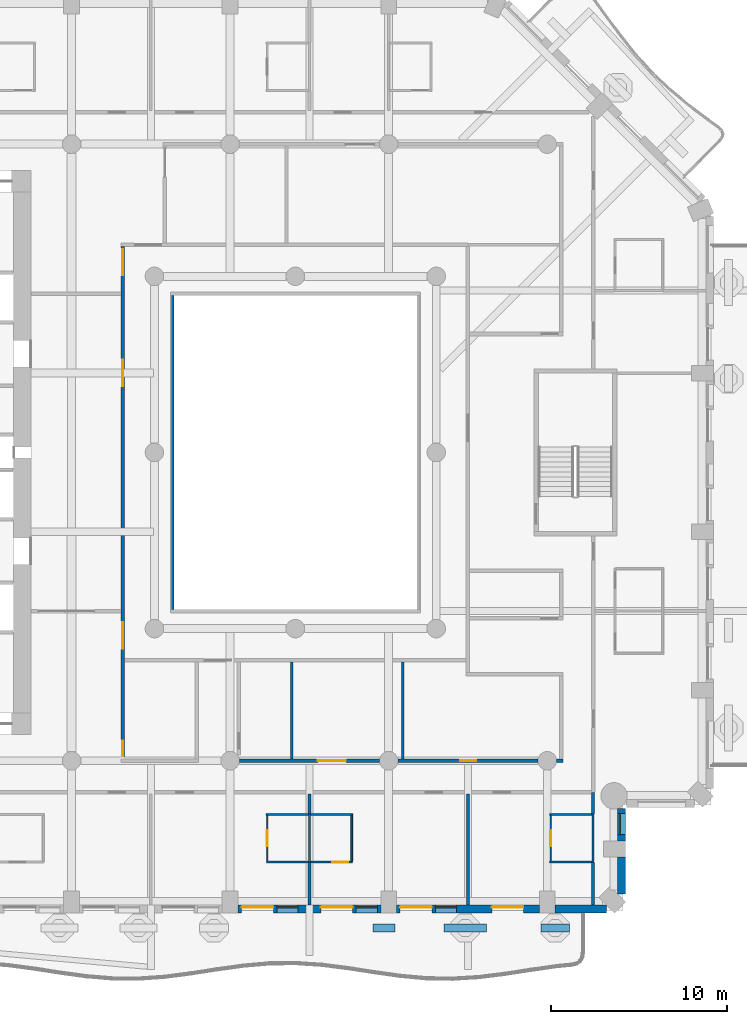
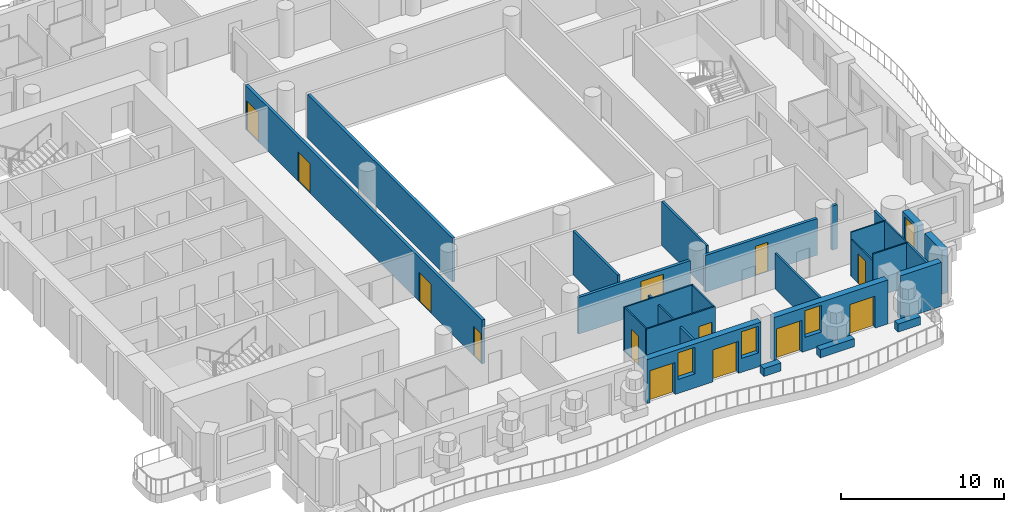
# One storey, part 5 of 20: 29 walls, 13 doors, 4 windows, 17 openings.
"""IFC4 building model written with IfcOpenShell, lengths in metres."""

from ifc_helpers import new_model, si_unit, direction, frame, frame_2d, origin, place, context, subcontext, project, spatial, rectangle, extrude, material, layer, layer_set, type_object, element, fill, save


model = new_model("IFC4")

# Units and contexts
model_context = context("Model", 3, precision=1e-05, world=origin(), true_north=direction((0.0, 1.0)))
body_context = subcontext(model_context, "Body", "Model", "MODEL_VIEW")
ifc_project = project(units=[si_unit("LENGTHUNIT", "METRE"), si_unit("AREAUNIT", "SQUARE_METRE"), si_unit("VOLUMEUNIT", "CUBIC_METRE"), si_unit("PLANEANGLEUNIT", "RADIAN"), si_unit("MASSUNIT", "GRAM", prefix="KILO")], contexts=[model_context])

# Site, building, storey
site_placement = place(None, origin())
site = spatial("IfcSite", under=ifc_project, at=site_placement, CompositionType="ELEMENT")
building_placement = place(site_placement, origin())
building = spatial("IfcBuilding", under=site, at=building_placement, Name="Cypress Arch Tower", CompositionType="ELEMENT")
storey_placement = place(building_placement, frame((0.0, 0.0, 123.89990234375)))
storey = spatial("IfcBuildingStorey", under=building, at=storey_placement, Name="L26", CompositionType="ELEMENT", Elevation=123.89990234375)

# Walls
ifc_material_1 = material(Name="Concrete C40/50, waterproofed", Category="concrete")
ifc_layer_1 = layer(ifc_material_1, 0.449951171875)
ifc_layer_set_1 = layer_set([ifc_layer_1], Name="Balcony planter wall PW450")
wall_type_1 = type_object("IfcWallType", Name="Balcony planter wall PW450", PredefinedType="SOLIDWALL", material=ifc_layer_set_1)
wall_1_placement = place(storey_placement, frame((5.419921875, -27.0, 0.0), z_axis=(0.0, 0.0, 1.0), x_axis=(1.0, 0.0, 0.0)))
element("IfcWall", 1, at=wall_1_placement, inside=storey, type_object=wall_type_1, Name="Balcony planter wall L26-A03.5", PredefinedType="SOLIDWALL", context=body_context, shape_type="SweptSolid", body=[
    extrude(rectangle(XDim=1.22998046875, YDim=0.449951171875, at=frame_2d((0.614990234375, 0.0))), origin(), (0.0, 0.0, 1.0), 0.60009765625),
])
wall_2_placement = place(storey_placement, frame((9.429931640625, -27.0, 0.0), z_axis=(0.0, 0.0, 1.0), x_axis=(1.0, 0.0, 0.0)))
element("IfcWall", 2, at=wall_2_placement, inside=storey, type_object=wall_type_1, Name="Balcony planter wall L26-A03.6", PredefinedType="SOLIDWALL", context=body_context, shape_type="SweptSolid", body=[
    extrude(rectangle(XDim=2.420166015625, YDim=0.449951171875, at=frame_2d((1.2099609375, 0.0))), origin(), (0.0, 0.0, 1.0), 0.60009765625),
])
wall_3_placement = place(storey_placement, frame((14.949951171875, -27.0, 0.0), z_axis=(0.0, 0.0, 1.0), x_axis=(1.0, 0.0, 0.0)))
element("IfcWall", 3, at=wall_3_placement, inside=storey, type_object=wall_type_1, Name="Balcony planter wall L26-A03.7", PredefinedType="SOLIDWALL", context=body_context, shape_type="SweptSolid", body=[
    extrude(rectangle(XDim=1.60009765625, YDim=0.449951171875, at=frame_2d((0.800048828125, 0.0))), origin(), (0.0, 0.0, 1.0), 0.60009765625),
])

# Wall, openings, doors, windows
ifc_material_2 = material(Name="Brick (red buff blend)", Category="masonry")
ifc_layer_2 = layer(ifc_material_2, 0.449951171875)
ifc_layer_set_2 = layer_set([ifc_layer_2], Name="Brick pier and spandrel wall BW450")
wall_type_2 = type_object("IfcWallType", Name="Brick pier and spandrel wall BW450", PredefinedType="SOLIDWALL", material=ifc_layer_set_2)
wall_4_placement = place(storey_placement, frame((-2.25, -25.925048828125, 0.0), z_axis=(0.0, 0.0, 1.0), x_axis=(1.0, 0.0, 0.0)))
wall_4 = element("IfcWall", 4, at=wall_4_placement, inside=storey, type_object=wall_type_2, Name="Brick wall L26 A03.3", PredefinedType="SOLIDWALL", context=body_context, shape_type="SweptSolid", body=[
    extrude(rectangle(XDim=8.10009765625, YDim=0.449951171875, at=frame_2d((4.050048828125, 0.0))), origin(), (0.0, 0.0, 1.0), 3.300048828125),
])
opening_1_placement = place(wall_4_placement, frame((0.199951171875, 0.0, 0.0)))
opening_1 = element("IfcOpeningElement", 5, at=opening_1_placement, cuts=wall_4, Name="Opening D-L26-A03.3.1", PredefinedType="OPENING", context=body_context, shape_type="SweptSolid", body=[
    extrude(rectangle(XDim=1.800048828125, YDim=2.39990234375, at=frame_2d((0.89990234375, 1.199951171875))), frame((0.0, 0.23486328125, 0.0), z_axis=(0.0, -1.0, 0.0), x_axis=(1.0, 0.0, 0.0)), (0.0, 0.0, 1.0), 0.469970703125),
])
opening_2_placement = place(wall_4_placement, frame((2.199951171875, 0.0, 1.050048828125)))
opening_2 = element("IfcOpeningElement", 6, at=opening_2_placement, cuts=wall_4, Name="Opening W120HD", PredefinedType="OPENING", context=body_context, shape_type="SweptSolid", body=[
    extrude(rectangle(XDim=1.199951171875, YDim=2.0, at=frame_2d((0.60009765625, 1.0))), frame((0.0, 0.23486328125, 0.0), z_axis=(0.0, -1.0, 0.0), x_axis=(1.0, 0.0, 0.0)), (0.0, 0.0, 1.0), 0.469970703125),
])
opening_3_placement = place(wall_4_placement, frame((4.699951171875, 0.0, 0.0)))
opening_3 = element("IfcOpeningElement", 7, at=opening_3_placement, cuts=wall_4, Name="Opening D-L26-A03.3.2", PredefinedType="OPENING", context=body_context, shape_type="SweptSolid", body=[
    extrude(rectangle(XDim=1.800048828125, YDim=2.39990234375, at=frame_2d((0.89990234375, 1.199951171875))), frame((0.0, 0.23486328125, 0.0), z_axis=(0.0, -1.0, 0.0), x_axis=(1.0, 0.0, 0.0)), (0.0, 0.0, 1.0), 0.469970703125),
])
opening_4_placement = place(wall_4_placement, frame((6.699951171875, 0.0, 1.050048828125)))
opening_4 = element("IfcOpeningElement", 8, at=opening_4_placement, cuts=wall_4, Name="Opening W120HD", PredefinedType="OPENING", context=body_context, shape_type="SweptSolid", body=[
    extrude(rectangle(XDim=1.199951171875, YDim=2.0, at=frame_2d((0.60009765625, 1.0))), frame((0.0, 0.23486328125, 0.0), z_axis=(0.0, -1.0, 0.0), x_axis=(1.0, 0.0, 0.0)), (0.0, 0.0, 1.0), 0.469970703125),
])
ifc_material_3 = material(Name="Anodised aluminium, bronze finish, laminated low-emissivity double glazing, large-missile impact rated", Category="aluminium")
door_type_1 = type_object("IfcDoorType", Name="Balcony sliding door 1800x2400", OperationType="SLIDING_TO_LEFT", PredefinedType="DOOR", material=ifc_material_3)
door_1_placement = place(opening_1_placement, origin())
door_1 = element("IfcDoor", 9, at=door_1_placement, inside=storey, type_object=door_type_1, Name="Balcony door L26 A03.3.1", OperationType="SLIDING_TO_LEFT", OverallHeight=2.39990234375, OverallWidth=1.800048828125, PredefinedType="DOOR", context=body_context, shape_type="SweptSolid", body=[
    extrude(rectangle(XDim=1.800048828125, YDim=2.39990234375, at=frame_2d((0.89990234375, 1.199951171875))), frame((0.0, 0.1298828125, 0.0), z_axis=(0.0, -1.0, 0.0), x_axis=(1.0, 0.0, 0.0)), (0.0, 0.0, 1.0), 0.050048828125),
])
fill(opening_1, door_1)
door_2_placement = place(opening_3_placement, origin())
door_2 = element("IfcDoor", 10, at=door_2_placement, inside=storey, type_object=door_type_1, Name="Balcony door L26 A03.3.2", OperationType="SLIDING_TO_LEFT", OverallHeight=2.39990234375, OverallWidth=1.800048828125, PredefinedType="DOOR", context=body_context, shape_type="SweptSolid", body=[
    extrude(rectangle(XDim=1.800048828125, YDim=2.39990234375, at=frame_2d((0.89990234375, 1.199951171875))), frame((0.0, 0.1298828125, 0.0), z_axis=(0.0, -1.0, 0.0), x_axis=(1.0, 0.0, 0.0)), (0.0, 0.0, 1.0), 0.050048828125),
])
fill(opening_3, door_2)
ifc_material_4 = material(Name="Anodised aluminium, bronze finish, laminated low-emissivity double glazing, large-missile impact rated", Category="aluminium")
window_type_1 = type_object("IfcWindowType", Name="Window Hotel 1200x2000 debris-rated", PartitioningType="SINGLE_PANEL", PredefinedType="WINDOW", material=ifc_material_4)
window_1_placement = place(opening_2_placement, origin())
window_1 = element("IfcWindow", 11, at=window_1_placement, inside=storey, type_object=window_type_1, Name="Window L26 A03.3.1", OverallHeight=2.0, OverallWidth=1.199951171875, PartitioningType="SINGLE_PANEL", PredefinedType="WINDOW", context=body_context, shape_type="SweptSolid", body=[
    extrude(rectangle(XDim=1.199951171875, YDim=2.0, at=frame_2d((0.60009765625, 1.0))), frame((0.0, 0.135009765625, 0.0), z_axis=(0.0, -1.0, 0.0), x_axis=(1.0, 0.0, 0.0)), (0.0, 0.0, 1.0), 0.06005859375),
])
fill(opening_2, window_1)
window_2_placement = place(opening_4_placement, origin())
window_2 = element("IfcWindow", 12, at=window_2_placement, inside=storey, type_object=window_type_1, Name="Window L26 A03.3.2", OverallHeight=2.0, OverallWidth=1.199951171875, PartitioningType="SINGLE_PANEL", PredefinedType="WINDOW", context=body_context, shape_type="SweptSolid", body=[
    extrude(rectangle(XDim=1.199951171875, YDim=2.0, at=frame_2d((0.60009765625, 1.0))), frame((0.0, 0.135009765625, 0.0), z_axis=(0.0, -1.0, 0.0), x_axis=(1.0, 0.0, 0.0)), (0.0, 0.0, 1.0), 0.06005859375),
])
fill(opening_4, window_2)

# Wall, openings, doors, window
wall_5_placement = place(storey_placement, frame((6.75, -25.925048828125, 0.0), z_axis=(0.0, 0.0, 1.0), x_axis=(1.0, 0.0, 0.0)))
wall_5 = element("IfcWall", 13, at=wall_5_placement, inside=storey, type_object=wall_type_2, Name="Brick wall L26 A03.4", PredefinedType="SOLIDWALL", context=body_context, shape_type="SweptSolid", body=[
    extrude(rectangle(XDim=8.10009765625, YDim=0.449951171875, at=frame_2d((4.050048828125, 0.0))), origin(), (0.0, 0.0, 1.0), 3.300048828125),
])
opening_5_placement = place(wall_5_placement, frame((0.199951171875, 0.0, 0.0)))
opening_5 = element("IfcOpeningElement", 14, at=opening_5_placement, cuts=wall_5, Name="Opening D-L26-A03.4.1", PredefinedType="OPENING", context=body_context, shape_type="SweptSolid", body=[
    extrude(rectangle(XDim=1.800048828125, YDim=2.39990234375, at=frame_2d((0.89990234375, 1.199951171875))), frame((0.0, 0.23486328125, 0.0), z_axis=(0.0, -1.0, 0.0), x_axis=(1.0, 0.0, 0.0)), (0.0, 0.0, 1.0), 0.469970703125),
])
opening_6_placement = place(wall_5_placement, frame((2.199951171875, 0.0, 1.050048828125)))
opening_6 = element("IfcOpeningElement", 15, at=opening_6_placement, cuts=wall_5, Name="Opening W120HD", PredefinedType="OPENING", context=body_context, shape_type="SweptSolid", body=[
    extrude(rectangle(XDim=1.199951171875, YDim=2.0, at=frame_2d((0.60009765625, 1.0))), frame((0.0, 0.23486328125, 0.0), z_axis=(0.0, -1.0, 0.0), x_axis=(1.0, 0.0, 0.0)), (0.0, 0.0, 1.0), 0.469970703125),
])
opening_7_placement = place(wall_5_placement, frame((5.39990234375, 0.0, 0.0)))
opening_7 = element("IfcOpeningElement", 16, at=opening_7_placement, cuts=wall_5, Name="Opening D-L26-A03.4.2", PredefinedType="OPENING", context=body_context, shape_type="SweptSolid", body=[
    extrude(rectangle(XDim=1.800048828125, YDim=2.39990234375, at=frame_2d((0.89990234375, 1.199951171875))), frame((0.0, 0.23486328125, 0.0), z_axis=(0.0, -1.0, 0.0), x_axis=(1.0, 0.0, 0.0)), (0.0, 0.0, 1.0), 0.469970703125),
])
door_3_placement = place(opening_5_placement, origin())
door_3 = element("IfcDoor", 17, at=door_3_placement, inside=storey, type_object=door_type_1, Name="Balcony door L26 A03.4.1", OperationType="SLIDING_TO_LEFT", OverallHeight=2.39990234375, OverallWidth=1.800048828125, PredefinedType="DOOR", context=body_context, shape_type="SweptSolid", body=[
    extrude(rectangle(XDim=1.800048828125, YDim=2.39990234375, at=frame_2d((0.89990234375, 1.199951171875))), frame((0.0, 0.1298828125, 0.0), z_axis=(0.0, -1.0, 0.0), x_axis=(1.0, 0.0, 0.0)), (0.0, 0.0, 1.0), 0.050048828125),
])
fill(opening_5, door_3)
door_4_placement = place(opening_7_placement, origin())
door_4 = element("IfcDoor", 18, at=door_4_placement, inside=storey, type_object=door_type_1, Name="Balcony door L26 A03.4.2", OperationType="SLIDING_TO_LEFT", OverallHeight=2.39990234375, OverallWidth=1.800048828125, PredefinedType="DOOR", context=body_context, shape_type="SweptSolid", body=[
    extrude(rectangle(XDim=1.800048828125, YDim=2.39990234375, at=frame_2d((0.89990234375, 1.199951171875))), frame((0.0, 0.1298828125, 0.0), z_axis=(0.0, -1.0, 0.0), x_axis=(1.0, 0.0, 0.0)), (0.0, 0.0, 1.0), 0.050048828125),
])
fill(opening_7, door_4)
window_3_placement = place(opening_6_placement, origin())
window_3 = element("IfcWindow", 19, at=window_3_placement, inside=storey, type_object=window_type_1, Name="Window L26 A03.4.1", OverallHeight=2.0, OverallWidth=1.199951171875, PartitioningType="SINGLE_PANEL", PredefinedType="WINDOW", context=body_context, shape_type="SweptSolid", body=[
    extrude(rectangle(XDim=1.199951171875, YDim=2.0, at=frame_2d((0.60009765625, 1.0))), frame((0.0, 0.135009765625, 0.0), z_axis=(0.0, -1.0, 0.0), x_axis=(1.0, 0.0, 0.0)), (0.0, 0.0, 1.0), 0.06005859375),
])
fill(opening_6, window_3)

# Walls
wall_6_placement = place(storey_placement, frame((15.75, -25.925048828125, 0.0), z_axis=(0.0, 0.0, 1.0), x_axis=(1.0, 0.0, 0.0)))
element("IfcWall", 20, at=wall_6_placement, inside=storey, type_object=wall_type_2, Name="Brick wall L26 A03.5", PredefinedType="SOLIDWALL", context=body_context, shape_type="SweptSolid", body=[
    extrude(rectangle(XDim=2.91357421875, YDim=0.449951171875, at=frame_2d((1.456787109375, 0.0))), origin(), (0.0, 0.0, 1.0), 3.300048828125),
])
wall_7_placement = place(storey_placement, frame((19.52490234375, -25.063720703125, 0.0), z_axis=(0.0, 0.0, 1.0), x_axis=(0.0, 1.0, 0.0)))
element("IfcWall", 21, at=wall_7_placement, inside=storey, type_object=wall_type_2, Name="Brick wall L26 A04.0", PredefinedType="SOLIDWALL", context=body_context, shape_type="SweptSolid", body=[
    extrude(rectangle(XDim=2.11376953125, YDim=0.449951171875, at=frame_2d((1.056884765625, 0.0))), origin(), (0.0, 0.0, 1.0), 3.300048828125),
])

# Wall, opening, window
wall_8_placement = place(storey_placement, frame((19.52490234375, -22.050048828125, 0.0), z_axis=(0.0, 0.0, 1.0), x_axis=(0.0, 1.0, 0.0)))
wall_8 = element("IfcWall", 22, at=wall_8_placement, inside=storey, type_object=wall_type_2, Name="Brick wall L26 A04.1", PredefinedType="SOLIDWALL", context=body_context, shape_type="SweptSolid", body=[
    extrude(rectangle(XDim=1.843017578125, YDim=0.449951171875, at=frame_2d((0.92138671875, 0.0))), origin(), (0.0, 0.0, 1.0), 3.300048828125),
])
opening_8_placement = place(wall_8_placement, frame((0.35009765625, 0.0, 1.050048828125)))
opening_8 = element("IfcOpeningElement", 23, at=opening_8_placement, cuts=wall_8, Name="Opening W120H", PredefinedType="OPENING", context=body_context, shape_type="SweptSolid", body=[
    extrude(rectangle(XDim=1.199951171875, YDim=2.0, at=frame_2d((0.60009765625, 1.0))), frame((0.0, 0.23486328125, 0.0), z_axis=(0.0, -1.0, 0.0), x_axis=(1.0, 0.0, 0.0)), (0.0, 0.0, 1.0), 0.469970703125),
])
ifc_material_5 = material(Name="Anodised aluminium, bronze finish, clear low-emissivity double glazing", Category="aluminium")
window_type_2 = type_object("IfcWindowType", Name="Window Hotel 1200x2000", PartitioningType="SINGLE_PANEL", PredefinedType="WINDOW", material=ifc_material_5)
window_4_placement = place(opening_8_placement, origin())
window_4 = element("IfcWindow", 24, at=window_4_placement, inside=storey, type_object=window_type_2, Name="Window L26 A04.1.1", OverallHeight=2.0, OverallWidth=1.199951171875, PartitioningType="SINGLE_PANEL", PredefinedType="WINDOW", context=body_context, shape_type="SweptSolid", body=[
    extrude(rectangle(XDim=1.199951171875, YDim=2.0, at=frame_2d((0.60009765625, 1.0))), frame((0.0, 0.135009765625, 0.0), z_axis=(0.0, -1.0, 0.0), x_axis=(1.0, 0.0, 0.0)), (0.0, 0.0, 1.0), 0.06005859375),
])
fill(opening_8, window_4)

# Wall, openings, doors
ifc_material_6 = material(Name="Concrete blockwork, plastered, rated", Category="masonry")
ifc_layer_3 = layer(ifc_material_6, 0.199951171875)
ifc_layer_set_3 = layer_set([ifc_layer_3], Name="Corridor wall FW200")
wall_type_3 = type_object("IfcWallType", Name="Corridor wall FW200", PredefinedType="PARTITIONING", material=ifc_layer_set_3)
wall_9_placement = place(storey_placement, frame((-8.800048828125, -17.39990234375, 0.0), z_axis=(0.0, 0.0, 1.0), x_axis=(0.0, 1.0, 0.0)))
wall_9 = element("IfcWall", 25, at=wall_9_placement, inside=storey, type_object=wall_type_3, Name="Corridor wall", PredefinedType="PARTITIONING", context=body_context, shape_type="SweptSolid", body=[
    extrude(rectangle(XDim=29.099853515625, YDim=0.199951171875, at=frame_2d((14.5498046875, 0.0))), origin(), (0.0, 0.0, 1.0), 3.300048828125),
])
opening_9_placement = place(wall_9_placement, frame((21.14990234375, 0.0, 0.0)))
opening_9 = element("IfcOpeningElement", 26, at=opening_9_placement, cuts=wall_9, Name="Opening D04", PredefinedType="OPENING", context=body_context, shape_type="SweptSolid", body=[
    extrude(rectangle(XDim=1.5, YDim=2.199951171875, at=frame_2d((0.75, 1.10009765625))), frame((0.0, 0.10986328125, 0.0), z_axis=(0.0, -1.0, 0.0), x_axis=(1.0, 0.0, 0.0)), (0.0, 0.0, 1.0), 0.219970703125),
])
opening_10_placement = place(wall_9_placement, frame((6.25, 0.0, 0.0)))
opening_10 = element("IfcOpeningElement", 27, at=opening_10_placement, cuts=wall_9, Name="Opening D04", PredefinedType="OPENING", context=body_context, shape_type="SweptSolid", body=[
    extrude(rectangle(XDim=1.5, YDim=2.199951171875, at=frame_2d((0.75, 1.10009765625))), frame((0.0, 0.10986328125, 0.0), z_axis=(0.0, -1.0, 0.0), x_axis=(1.0, 0.0, 0.0)), (0.0, 0.0, 1.0), 0.219970703125),
])
opening_11_placement = place(wall_9_placement, frame((27.449951171875, 0.0, 0.0)))
opening_11 = element("IfcOpeningElement", 28, at=opening_11_placement, cuts=wall_9, Name="Opening D04", PredefinedType="OPENING", context=body_context, shape_type="SweptSolid", body=[
    extrude(rectangle(XDim=1.5, YDim=2.199951171875, at=frame_2d((0.75, 1.10009765625))), frame((0.0, 0.10986328125, 0.0), z_axis=(0.0, -1.0, 0.0), x_axis=(1.0, 0.0, 0.0)), (0.0, 0.0, 1.0), 0.219970703125),
])
opening_12_placement = place(wall_9_placement, frame((0.14990234375, 0.0, 0.0)))
opening_12 = element("IfcOpeningElement", 29, at=opening_12_placement, cuts=wall_9, Name="Opening D05", PredefinedType="OPENING", context=body_context, shape_type="SweptSolid", body=[
    extrude(rectangle(XDim=0.89990234375, YDim=2.199951171875, at=frame_2d((0.449951171875, 1.10009765625))), frame((0.0, 0.10986328125, 0.0), z_axis=(0.0, -1.0, 0.0), x_axis=(1.0, 0.0, 0.0)), (0.0, 0.0, 1.0), 0.219970703125),
])
ifc_material_7 = material(Name="Timber double door", Category="wood")
door_type_2 = type_object("IfcDoorType", Name="Double door D04 1500x2200", OperationType="DOUBLE_DOOR_SINGLE_SWING", PredefinedType="DOOR", material=ifc_material_7)
door_5_placement = place(opening_9_placement, origin())
door_5 = element("IfcDoor", 30, at=door_5_placement, inside=storey, type_object=door_type_2, Name="Double door", OperationType="DOUBLE_DOOR_SINGLE_SWING", OverallHeight=2.199951171875, OverallWidth=1.5, PredefinedType="DOOR", context=body_context, shape_type="SweptSolid", body=[
    extrude(rectangle(XDim=1.5, YDim=2.199951171875, at=frame_2d((0.75, 1.10009765625))), frame((0.0, 0.02490234375, 0.0), z_axis=(0.0, -1.0, 0.0), x_axis=(1.0, 0.0, 0.0)), (0.0, 0.0, 1.0), 0.050048828125),
])
fill(opening_9, door_5)
door_6_placement = place(opening_10_placement, origin())
door_6 = element("IfcDoor", 31, at=door_6_placement, inside=storey, type_object=door_type_2, Name="Double door", OperationType="DOUBLE_DOOR_SINGLE_SWING", OverallHeight=2.199951171875, OverallWidth=1.5, PredefinedType="DOOR", context=body_context, shape_type="SweptSolid", body=[
    extrude(rectangle(XDim=1.5, YDim=2.199951171875, at=frame_2d((0.75, 1.10009765625))), frame((0.0, 0.02490234375, 0.0), z_axis=(0.0, -1.0, 0.0), x_axis=(1.0, 0.0, 0.0)), (0.0, 0.0, 1.0), 0.050048828125),
])
fill(opening_10, door_6)
door_7_placement = place(opening_11_placement, origin())
door_7 = element("IfcDoor", 32, at=door_7_placement, inside=storey, type_object=door_type_2, Name="Double door", OperationType="DOUBLE_DOOR_SINGLE_SWING", OverallHeight=2.199951171875, OverallWidth=1.5, PredefinedType="DOOR", context=body_context, shape_type="SweptSolid", body=[
    extrude(rectangle(XDim=1.5, YDim=2.199951171875, at=frame_2d((0.75, 1.10009765625))), frame((0.0, 0.02490234375, 0.0), z_axis=(0.0, -1.0, 0.0), x_axis=(1.0, 0.0, 0.0)), (0.0, 0.0, 1.0), 0.050048828125),
])
fill(opening_11, door_7)
ifc_material_8 = material(Name="Timber flush door", Category="wood")
door_type_3 = type_object("IfcDoorType", Name="Service door D05 900x2200", OperationType="SINGLE_SWING_LEFT", PredefinedType="DOOR", material=ifc_material_8)
door_8_placement = place(opening_12_placement, origin())
door_8 = element("IfcDoor", 33, at=door_8_placement, inside=storey, type_object=door_type_3, Name="Service door", OperationType="SINGLE_SWING_RIGHT", OverallHeight=2.199951171875, OverallWidth=0.89990234375, PredefinedType="DOOR", context=body_context, shape_type="SweptSolid", body=[
    extrude(rectangle(XDim=0.89990234375, YDim=2.199951171875, at=frame_2d((0.449951171875, 1.10009765625))), frame((0.0, 0.02490234375, 0.0), z_axis=(0.0, -1.0, 0.0), x_axis=(1.0, 0.0, 0.0)), (0.0, 0.0, 1.0), 0.050048828125),
])
fill(opening_12, door_8)

# Wall
wall_10_placement = place(storey_placement, frame((-6.0, -8.89990234375, 0.0), z_axis=(0.0, 0.0, 1.0), x_axis=(0.0, 1.0, 0.0)))
element("IfcWall", 34, at=wall_10_placement, inside=storey, type_object=wall_type_3, Name="Corridor wall", PredefinedType="PARTITIONING", context=body_context, shape_type="SweptSolid", body=[
    extrude(rectangle(XDim=17.7998046875, YDim=0.199951171875, at=frame_2d((8.89990234375, 0.0))), origin(), (0.0, 0.0, 1.0), 3.300048828125),
])

# Wall, opening, door
wall_11_placement = place(storey_placement, frame((-2.175048828125, -17.5, 0.0), z_axis=(0.0, 0.0, 1.0), x_axis=(1.0, 0.0, 0.0)))
wall_11 = element("IfcWall", 35, at=wall_11_placement, inside=storey, type_object=wall_type_3, Name="Corridor wall", PredefinedType="PARTITIONING", context=body_context, shape_type="SweptSolid", body=[
    extrude(rectangle(XDim=7.949951171875, YDim=0.199951171875, at=frame_2d((3.97509765625, 0.0))), origin(), (0.0, 0.0, 1.0), 2.75),
])
opening_13_placement = place(wall_11_placement, frame((4.449951171875, 0.0, 0.0)))
opening_13 = element("IfcOpeningElement", 36, at=opening_13_placement, cuts=wall_11, Name="Opening D10", PredefinedType="OPENING", context=body_context, shape_type="SweptSolid", body=[
    extrude(rectangle(XDim=1.60009765625, YDim=2.39990234375, at=frame_2d((0.800048828125, 1.199951171875))), frame((0.0, 0.10986328125, 0.0), z_axis=(0.0, -1.0, 0.0), x_axis=(1.0, 0.0, 0.0)), (0.0, 0.0, 1.0), 0.219970703125),
])
ifc_material_9 = material(Name="Black aluminium glazed door", Category="aluminium")
door_type_4 = type_object("IfcDoorType", Name="Amenity door D10 1600x2400", OperationType="DOUBLE_DOOR_SINGLE_SWING", PredefinedType="DOOR", material=ifc_material_9)
door_9_placement = place(opening_13_placement, origin())
door_9 = element("IfcDoor", 37, at=door_9_placement, inside=storey, type_object=door_type_4, Name="Amenity door", OperationType="DOUBLE_DOOR_SINGLE_SWING", OverallHeight=2.39990234375, OverallWidth=1.60009765625, PredefinedType="DOOR", context=body_context, shape_type="SweptSolid", body=[
    extrude(rectangle(XDim=1.60009765625, YDim=2.39990234375, at=frame_2d((0.800048828125, 1.199951171875))), frame((0.0, 0.02490234375, 0.0), z_axis=(0.0, -1.0, 0.0), x_axis=(1.0, 0.0, 0.0)), (0.0, 0.0, 1.0), 0.050048828125),
])
fill(opening_13, door_9)

wall_12_placement = place(storey_placement, frame((6.824951171875, -17.5, 0.0), z_axis=(0.0, 0.0, 1.0), x_axis=(1.0, 0.0, 0.0)))
wall_12 = element("IfcWall", 38, at=wall_12_placement, inside=storey, type_object=wall_type_3, Name="Corridor wall", PredefinedType="PARTITIONING", context=body_context, shape_type="SweptSolid", body=[
    extrude(rectangle(XDim=7.949951171875, YDim=0.199951171875, at=frame_2d((3.97509765625, 0.0))), origin(), (0.0, 0.0, 1.0), 2.75),
])
opening_14_placement = place(wall_12_placement, frame((3.550048828125, 0.0, 0.0)))
opening_14 = element("IfcOpeningElement", 39, at=opening_14_placement, cuts=wall_12, Name="Opening D05", PredefinedType="OPENING", context=body_context, shape_type="SweptSolid", body=[
    extrude(rectangle(XDim=0.89990234375, YDim=2.199951171875, at=frame_2d((0.449951171875, 1.10009765625))), frame((0.0, 0.10986328125, 0.0), z_axis=(0.0, -1.0, 0.0), x_axis=(1.0, 0.0, 0.0)), (0.0, 0.0, 1.0), 0.219970703125),
])
door_10_placement = place(opening_14_placement, origin())
door_10 = element("IfcDoor", 40, at=door_10_placement, inside=storey, type_object=door_type_3, Name="Service door", OperationType="SINGLE_SWING_RIGHT", OverallHeight=2.199951171875, OverallWidth=0.89990234375, PredefinedType="DOOR", context=body_context, shape_type="SweptSolid", body=[
    extrude(rectangle(XDim=0.89990234375, YDim=2.199951171875, at=frame_2d((0.449951171875, 1.10009765625))), frame((0.0, 0.02490234375, 0.0), z_axis=(0.0, -1.0, 0.0), x_axis=(1.0, 0.0, 0.0)), (0.0, 0.0, 1.0), 0.050048828125),
])
fill(opening_14, door_10)

# Walls
wall_13_placement = place(storey_placement, frame((15.824951171875, -17.5, 0.0), z_axis=(0.0, 0.0, 1.0), x_axis=(1.0, 0.0, 0.0)))
element("IfcWall", 41, at=wall_13_placement, inside=storey, type_object=wall_type_3, Name="Corridor wall", PredefinedType="PARTITIONING", context=body_context, shape_type="SweptSolid", body=[
    extrude(rectangle(XDim=0.375, YDim=0.199951171875, at=frame_2d((0.1875, 0.0))), origin(), (0.0, 0.0, 1.0), 3.300048828125),
])
ifc_material_10 = material(Name="Blockwork, plastered both sides", Category="masonry")
ifc_layer_4 = layer(ifc_material_10, 0.14990234375)
ifc_layer_set_4 = layer_set([ifc_layer_4], Name="Partition PW150")
wall_type_4 = type_object("IfcWallType", Name="Partition PW150", PredefinedType="PARTITIONING", material=ifc_layer_set_4)
wall_14_placement = place(storey_placement, frame((0.800048828125, -17.39990234375, 0.0), z_axis=(0.0, 0.0, 1.0), x_axis=(0.0, 1.0, 0.0)))
element("IfcWall", 42, at=wall_14_placement, inside=storey, type_object=wall_type_4, Name="Partition", PredefinedType="PARTITIONING", context=body_context, shape_type="SweptSolid", body=[
    extrude(rectangle(XDim=5.5, YDim=0.14990234375, at=frame_2d((2.75, 0.0))), origin(), (0.0, 0.0, 1.0), 3.300048828125),
])
wall_15_placement = place(storey_placement, frame((1.800048828125, -25.699951171875, 0.0), z_axis=(0.0, 0.0, 1.0), x_axis=(0.0, 1.0, 0.0)))
element("IfcWall", 43, at=wall_15_placement, inside=storey, type_object=wall_type_4, Name="Partition", PredefinedType="PARTITIONING", context=body_context, shape_type="SweptSolid", body=[
    extrude(rectangle(XDim=2.429931640625, YDim=0.14990234375, at=frame_2d((1.21484375, 0.0))), origin(), (0.0, 0.0, 1.0), 2.650146484375),
])
wall_16_placement = place(storey_placement, frame((1.800048828125, -20.530029296875, 0.0), z_axis=(0.0, 0.0, 1.0), x_axis=(0.0, 1.0, 0.0)))
element("IfcWall", 44, at=wall_16_placement, inside=storey, type_object=wall_type_4, Name="Partition", PredefinedType="PARTITIONING", context=body_context, shape_type="SweptSolid", body=[
    extrude(rectangle(XDim=1.130126953125, YDim=0.14990234375, at=frame_2d((0.56494140625, 0.0))), origin(), (0.0, 0.0, 1.0), 2.650146484375),
])
wall_17_placement = place(storey_placement, frame((7.10009765625, -17.39990234375, 0.0), z_axis=(0.0, 0.0, 1.0), x_axis=(0.0, 1.0, 0.0)))
element("IfcWall", 45, at=wall_17_placement, inside=storey, type_object=wall_type_4, Name="Partition", PredefinedType="PARTITIONING", context=body_context, shape_type="SweptSolid", body=[
    extrude(rectangle(XDim=5.5, YDim=0.14990234375, at=frame_2d((2.75, 0.0))), origin(), (0.0, 0.0, 1.0), 3.300048828125),
])
wall_18_placement = place(storey_placement, frame((10.800048828125, -25.699951171875, 0.0), z_axis=(0.0, 0.0, 1.0), x_axis=(0.0, 1.0, 0.0)))
element("IfcWall", 46, at=wall_18_placement, inside=storey, type_object=wall_type_4, Name="Partition", PredefinedType="PARTITIONING", context=body_context, shape_type="SweptSolid", body=[
    extrude(rectangle(XDim=6.300048828125, YDim=0.14990234375, at=frame_2d((3.14990234375, 0.0))), origin(), (0.0, 0.0, 1.0), 2.650146484375),
])
wall_19_placement = place(storey_placement, frame((17.89990234375, -25.699951171875, 0.0), z_axis=(0.0, 0.0, 1.0), x_axis=(0.0, 1.0, 0.0)))
element("IfcWall", 47, at=wall_19_placement, inside=storey, type_object=wall_type_4, Name="Partition", PredefinedType="PARTITIONING", context=body_context, shape_type="SweptSolid", body=[
    extrude(rectangle(XDim=2.429931640625, YDim=0.14990234375, at=frame_2d((1.21484375, 0.0))), origin(), (0.0, 0.0, 1.0), 3.300048828125),
])
wall_20_placement = place(storey_placement, frame((17.89990234375, -20.530029296875, 0.0), z_axis=(0.0, 0.0, 1.0), x_axis=(0.0, 1.0, 0.0)))
element("IfcWall", 48, at=wall_20_placement, inside=storey, type_object=wall_type_4, Name="Partition", PredefinedType="PARTITIONING", context=body_context, shape_type="SweptSolid", body=[
    extrude(rectangle(XDim=1.22998046875, YDim=0.14990234375, at=frame_2d((0.614990234375, 0.0))), origin(), (0.0, 0.0, 1.0), 3.300048828125),
])

# Wall, opening, door
ifc_material_11 = material(Name="Moisture resistant board on steel studs, tiled", Category="steel")
ifc_layer_5 = layer(ifc_material_11, 0.10009765625)
ifc_layer_set_5 = layer_set([ifc_layer_5], Name="Wet wall PW100")
wall_type_5 = type_object("IfcWallType", Name="Wet wall PW100", PredefinedType="PARTITIONING", material=ifc_layer_set_5)
wall_21_placement = place(storey_placement, frame((-0.595947265625, -23.199951171875, 0.0), z_axis=(0.0, 0.0, 1.0), x_axis=(0.0, 1.0, 0.0)))
wall_21 = element("IfcWall", 49, at=wall_21_placement, inside=storey, type_object=wall_type_5, Name="Wet wall", PredefinedType="PARTITIONING", context=body_context, shape_type="SweptSolid", body=[
    extrude(rectangle(XDim=2.599853515625, YDim=0.10009765625, at=frame_2d((1.2998046875, 0.0))), origin(), (0.0, 0.0, 1.0), 3.300048828125),
])
opening_15_placement = place(wall_21_placement, frame((0.85009765625, 0.0, 0.0)))
opening_15 = element("IfcOpeningElement", 50, at=opening_15_placement, cuts=wall_21, Name="Opening D03", PredefinedType="OPENING", context=body_context, shape_type="SweptSolid", body=[
    extrude(rectangle(XDim=0.89990234375, YDim=2.199951171875, at=frame_2d((0.449951171875, 1.10009765625))), frame((0.0, 0.06005859375, 0.0), z_axis=(0.0, -1.0, 0.0), x_axis=(1.0, 0.0, 0.0)), (0.0, 0.0, 1.0), 0.1201171875),
])
ifc_material_12 = material(Name="Timber flush door, moisture resistant", Category="wood")
door_type_5 = type_object("IfcDoorType", Name="Bathroom door D03 900x2200", OperationType="SINGLE_SWING_LEFT", PredefinedType="DOOR", material=ifc_material_12)
door_11_placement = place(opening_15_placement, origin())
door_11 = element("IfcDoor", 51, at=door_11_placement, inside=storey, type_object=door_type_5, Name="Bathroom door", OperationType="SINGLE_SWING_LEFT", OverallHeight=2.199951171875, OverallWidth=0.89990234375, PredefinedType="DOOR", context=body_context, shape_type="SweptSolid", body=[
    extrude(rectangle(XDim=0.89990234375, YDim=2.199951171875, at=frame_2d((0.449951171875, 1.10009765625))), frame((0.0, 0.02490234375, 0.0), z_axis=(0.0, -1.0, 0.0), x_axis=(1.0, 0.0, 0.0)), (0.0, 0.0, 1.0), 0.050048828125),
])
fill(opening_15, door_11)

wall_22_placement = place(storey_placement, frame((-0.64599609375, -23.25, 0.0), z_axis=(0.0, 0.0, 1.0), x_axis=(1.0, 0.0, 0.0)))
wall_22 = element("IfcWall", 52, at=wall_22_placement, inside=storey, type_object=wall_type_5, Name="Wet wall", PredefinedType="PARTITIONING", context=body_context, shape_type="SweptSolid", body=[
    extrude(rectangle(XDim=4.89208984375, YDim=0.10009765625, at=frame_2d((2.446044921875, 0.0))), origin(), (0.0, 0.0, 1.0), 3.300048828125),
])
opening_16_placement = place(wall_22_placement, frame((3.75, 0.0, 0.0)))
opening_16 = element("IfcOpeningElement", 53, at=opening_16_placement, cuts=wall_22, Name="Opening D03", PredefinedType="OPENING", context=body_context, shape_type="SweptSolid", body=[
    extrude(rectangle(XDim=0.89990234375, YDim=2.199951171875, at=frame_2d((0.449951171875, 1.10009765625))), frame((0.0, 0.06005859375, 0.0), z_axis=(0.0, -1.0, 0.0), x_axis=(1.0, 0.0, 0.0)), (0.0, 0.0, 1.0), 0.1201171875),
])
door_12_placement = place(opening_16_placement, origin())
door_12 = element("IfcDoor", 54, at=door_12_placement, inside=storey, type_object=door_type_5, Name="Bathroom door", OperationType="SINGLE_SWING_RIGHT", OverallHeight=2.199951171875, OverallWidth=0.89990234375, PredefinedType="DOOR", context=body_context, shape_type="SweptSolid", body=[
    extrude(rectangle(XDim=0.89990234375, YDim=2.199951171875, at=frame_2d((0.449951171875, 1.10009765625))), frame((0.0, 0.02490234375, 0.0), z_axis=(0.0, -1.0, 0.0), x_axis=(1.0, 0.0, 0.0)), (0.0, 0.0, 1.0), 0.050048828125),
])
fill(opening_16, door_12)

# Walls
wall_23_placement = place(storey_placement, frame((-0.64599609375, -20.550048828125, 0.0), z_axis=(0.0, 0.0, 1.0), x_axis=(1.0, 0.0, 0.0)))
element("IfcWall", 55, at=wall_23_placement, inside=storey, type_object=wall_type_5, Name="Wet wall", PredefinedType="PARTITIONING", context=body_context, shape_type="SweptSolid", body=[
    extrude(rectangle(XDim=4.89208984375, YDim=0.10009765625, at=frame_2d((2.446044921875, 0.0))), origin(), (0.0, 0.0, 1.0), 3.300048828125),
])
wall_24_placement = place(storey_placement, frame((1.800048828125, -23.27001953125, 0.0), z_axis=(0.0, 0.0, 1.0), x_axis=(0.0, 1.0, 0.0)))
element("IfcWall", 56, at=wall_24_placement, inside=storey, type_object=wall_type_5, Name="Wet wall", PredefinedType="PARTITIONING", context=body_context, shape_type="SweptSolid", body=[
    extrude(rectangle(XDim=2.739990234375, YDim=0.10009765625, at=frame_2d((1.3701171875, 0.0))), origin(), (0.0, 0.0, 1.0), 2.650146484375),
])
wall_25_placement = place(storey_placement, frame((4.196044921875, -23.199951171875, 0.0), z_axis=(0.0, 0.0, 1.0), x_axis=(0.0, 1.0, 0.0)))
element("IfcWall", 57, at=wall_25_placement, inside=storey, type_object=wall_type_5, Name="Wet wall", PredefinedType="PARTITIONING", context=body_context, shape_type="SweptSolid", body=[
    extrude(rectangle(XDim=2.599853515625, YDim=0.10009765625, at=frame_2d((1.2998046875, 0.0))), origin(), (0.0, 0.0, 1.0), 3.300048828125),
])

# Wall, opening, door
wall_26_placement = place(storey_placement, frame((15.5, -23.199951171875, 0.0), z_axis=(0.0, 0.0, 1.0), x_axis=(0.0, 1.0, 0.0)))
wall_26 = element("IfcWall", 58, at=wall_26_placement, inside=storey, type_object=wall_type_5, Name="Wet wall", PredefinedType="PARTITIONING", context=body_context, shape_type="SweptSolid", body=[
    extrude(rectangle(XDim=2.599853515625, YDim=0.10009765625, at=frame_2d((1.2998046875, 0.0))), origin(), (0.0, 0.0, 1.0), 2.75),
])
opening_17_placement = place(wall_26_placement, frame((0.85009765625, 0.0, 0.0)))
opening_17 = element("IfcOpeningElement", 59, at=opening_17_placement, cuts=wall_26, Name="Opening D03", PredefinedType="OPENING", context=body_context, shape_type="SweptSolid", body=[
    extrude(rectangle(XDim=0.89990234375, YDim=2.199951171875, at=frame_2d((0.449951171875, 1.10009765625))), frame((0.0, 0.06005859375, 0.0), z_axis=(0.0, -1.0, 0.0), x_axis=(1.0, 0.0, 0.0)), (0.0, 0.0, 1.0), 0.1201171875),
])
door_13_placement = place(opening_17_placement, origin())
door_13 = element("IfcDoor", 60, at=door_13_placement, inside=storey, type_object=door_type_5, Name="Bathroom door", OperationType="SINGLE_SWING_LEFT", OverallHeight=2.199951171875, OverallWidth=0.89990234375, PredefinedType="DOOR", context=body_context, shape_type="SweptSolid", body=[
    extrude(rectangle(XDim=0.89990234375, YDim=2.199951171875, at=frame_2d((0.449951171875, 1.10009765625))), frame((0.0, 0.02490234375, 0.0), z_axis=(0.0, -1.0, 0.0), x_axis=(1.0, 0.0, 0.0)), (0.0, 0.0, 1.0), 0.050048828125),
])
fill(opening_17, door_13)

# Walls
for number, where, z_axis, x_axis, name in (
    (61, (15.449951171875, -23.25, 0.0), (0.0, 0.0, 1.0), (1.0, 0.0, 0.0), "Wet wall"),
    (62, (15.449951171875, -20.550048828125, 0.0), (0.0, 0.0, 1.0), (1.0, 0.0, 0.0), "Wet wall"),
):
    element("IfcWall", number, at=place(storey_placement, frame(where, z_axis=z_axis, x_axis=x_axis)), inside=storey, type_object=wall_type_5, Name=name, PredefinedType="PARTITIONING", context=body_context, shape_type="SweptSolid", body=[
        extrude(rectangle(XDim=2.375, YDim=0.10009765625, at=frame_2d((1.1875, 0.0))), origin(), (0.0, 0.0, 1.0), 3.300048828125),
    ])
wall_27_placement = place(storey_placement, frame((17.89990234375, -23.27001953125, 0.0), z_axis=(0.0, 0.0, 1.0), x_axis=(0.0, 1.0, 0.0)))
element("IfcWall", 63, at=wall_27_placement, inside=storey, type_object=wall_type_5, Name="Wet wall", PredefinedType="PARTITIONING", context=body_context, shape_type="SweptSolid", body=[
    extrude(rectangle(XDim=2.739990234375, YDim=0.10009765625, at=frame_2d((1.3701171875, 0.0))), origin(), (0.0, 0.0, 1.0), 3.300048828125),
])

save(model, "model.ifc")
